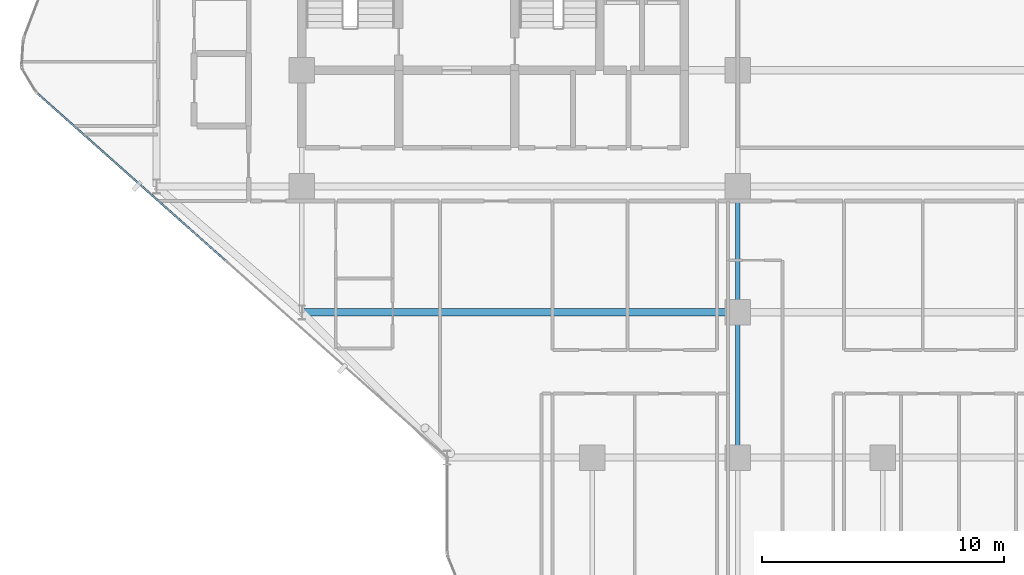
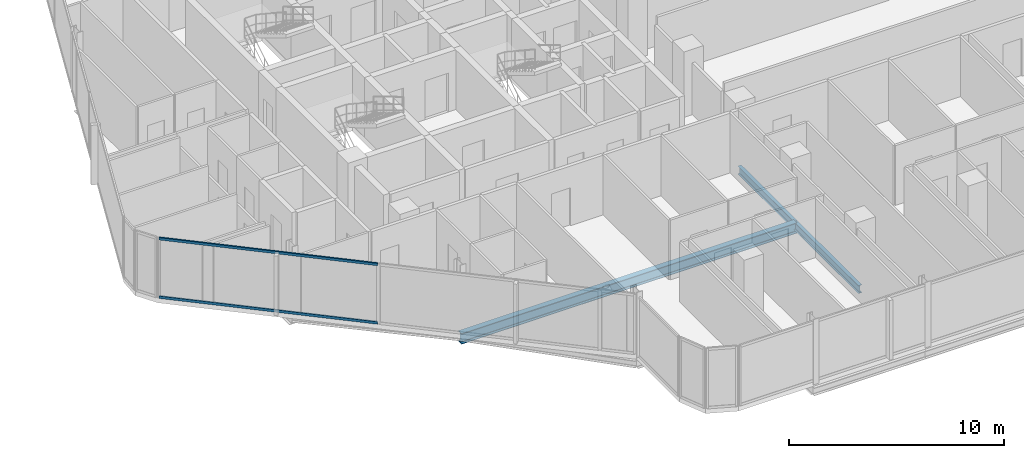
# One storey, part 5 of 29: 3 beams, 2 members, 1 element without a shape of its own.
"""IFC4 building model written with IfcOpenShell, lengths in metres."""

from ifc_helpers import new_model, si_unit, direction, frame, origin, origin_2d, place, context, subcontext, project, spatial, hollow_rectangle, i_section, extrude, material, layer, layer_set, material_profile, profile_set, type_object, element, aggregate, save


model = new_model("IFC4")

# Units and contexts
model_context = context("Model", 3, precision=1e-05, world=origin(), true_north=direction((0.0, 1.0)))
body_context = subcontext(model_context, "Body", "Model", "MODEL_VIEW")
ifc_project = project(units=[si_unit("LENGTHUNIT", "METRE"), si_unit("AREAUNIT", "SQUARE_METRE"), si_unit("VOLUMEUNIT", "CUBIC_METRE"), si_unit("PLANEANGLEUNIT", "RADIAN"), si_unit("MASSUNIT", "GRAM", prefix="KILO")], contexts=[model_context])

# Site, building, storey
site_placement = place(None, origin())
site = spatial("IfcSite", under=ifc_project, at=site_placement, CompositionType="ELEMENT")
building_placement = place(site_placement, origin())
building = spatial("IfcBuilding", under=site, at=building_placement, Name="Keshet Zoharim Tower", CompositionType="ELEMENT")
storey_placement = place(building_placement, frame((0.0, 0.0, 102.0)))
storey = spatial("IfcBuildingStorey", under=building, at=storey_placement, Name="L24", CompositionType="ELEMENT", Elevation=102.0)

# Beams
ifc_material_1 = material(Name="Steel S355", Category="steel")
ifc_material_profile_1 = material_profile(ifc_material_1, i_section(OverallWidth=0.300048828125, OverallDepth=0.60009765625, WebThickness=0.015380859375, FlangeThickness=0.030029296875, FilletRadius=0.027099609375, at=origin_2d()), Name="HEB600")
ifc_profile_set_1 = profile_set([ifc_material_profile_1], Name="Steel S355")
beam_type_1 = type_object("IfcBeamType", Name="BM-LNG-HB600", PredefinedType="BEAM", material=ifc_profile_set_1)
beam_1_placement = place(storey_placement, frame((15.0, 12.699951171875, -0.614990234375), z_axis=(1.0, 0.0, 0.0), x_axis=(0.0, 1.0, 0.0)))
element("IfcBeam", 1, at=beam_1_placement, inside=storey, type_object=beam_type_1, Name="L24 Primary Girder X-009", PredefinedType="BEAM", context=body_context, shape_type="SweptSolid", body=[
    extrude(i_section(OverallWidth=0.300048828125, OverallDepth=0.60009765625, WebThickness=0.015380859375, FlangeThickness=0.030029296875, FilletRadius=0.027099609375, at=origin_2d()), origin(), (0.0, 0.0, 1.0), 18.0),
])
ifc_material_profile_2 = material_profile(ifc_material_1, i_section(OverallWidth=0.18994140625, OverallDepth=0.449951171875, WebThickness=0.009521484375, FlangeThickness=0.0146484375, FilletRadius=0.02099609375, at=origin_2d()), Name="IPE450")
ifc_profile_set_2 = profile_set([ifc_material_profile_2], Name="Steel S355")
beam_type_2 = type_object("IfcBeamType", Name="BM-PRI-IP450", PredefinedType="BEAM", material=ifc_profile_set_2)
beam_2_placement = place(storey_placement, frame((33.0, 6.699951171875, -0.5400390625), z_axis=(0.0, 1.0, 0.0), x_axis=(-1.0, 0.0, 0.0)))
element("IfcBeam", 2, at=beam_2_placement, inside=storey, type_object=beam_type_2, Name="L24 Primary Girder Y-006", PredefinedType="BEAM", context=body_context, shape_type="SweptSolid", body=[
    extrude(i_section(OverallWidth=0.18994140625, OverallDepth=0.449951171875, WebThickness=0.009521484375, FlangeThickness=0.0146484375, FilletRadius=0.02099609375, at=origin_2d()), origin(), (0.0, 0.0, 1.0), 6.0),
])
beam_3_placement = place(storey_placement, frame((33.0, 12.699951171875, -0.5400390625), z_axis=(0.0, 1.0, 0.0), x_axis=(-1.0, 0.0, 0.0)))
element("IfcBeam", 3, at=beam_3_placement, inside=storey, type_object=beam_type_2, Name="L24 Primary Girder Y-007", PredefinedType="BEAM", context=body_context, shape_type="SweptSolid", body=[
    extrude(i_section(OverallWidth=0.18994140625, OverallDepth=0.449951171875, WebThickness=0.009521484375, FlangeThickness=0.0146484375, FilletRadius=0.02099609375, at=origin_2d()), origin(), (0.0, 0.0, 1.0), 5.199951171875),
])

# Curtain wall, members
ifc_material_2 = material(Name="Aluminium 6063-T6", Category="aluminium")
ifc_layer = layer(ifc_material_2, 0.159912109375)
ifc_layer_set = layer_set([ifc_layer], Name="Aluminium 6063-T6")
curtain_wall_type = type_object("IfcCurtainWallType", Name="CW-SYS-03", PredefinedType="NOTDEFINED", material=ifc_layer_set)
curtain_wall_placement = place(storey_placement, origin())
curtain_wall = element("IfcCurtainWall", 4, at=curtain_wall_placement, inside=storey, type_object=curtain_wall_type, Name="L24 Unitised Curtain Wall 07 Part 2", PredefinedType="NOTDEFINED")
ifc_material_profile_3 = material_profile(ifc_material_2, hollow_rectangle(XDim=0.080078125, YDim=0.139892578125, WallThickness=0.00390625, at=origin_2d()), Name="TRN-80x140")
ifc_profile_set_3 = profile_set([ifc_material_profile_3], Name="Aluminium 6063-T6")
member_type = type_object("IfcMemberType", Name="CWT-T14", PredefinedType="USERDEFINED", material=ifc_profile_set_3)
member_1_placement = place(storey_placement, frame((11.83349609375, 14.847900390625, 0.034912109375), z_axis=(-0.747405419639, 0.664368225229, 0.0), x_axis=(-0.664368225229, -0.747405419639, 0.0)))
member_1 = element("IfcMember", 5, at=member_1_placement, type_object=member_type, Name="CW-03 transom 2.1", ObjectType="TRANSOM", PredefinedType="USERDEFINED", context=body_context, shape_type="SweptSolid", body=[
    extrude(hollow_rectangle(XDim=0.080078125, YDim=0.139892578125, WallThickness=0.00390625, at=origin_2d()), origin(), (0.0, 0.0, 1.0), 10.364013671875),
])
member_2_placement = place(storey_placement, frame((11.83349609375, 14.847900390625, 3.35009765625), z_axis=(-0.747405419639, 0.664368225229, 0.0), x_axis=(-0.664368225229, -0.747405419639, 0.0)))
member_2 = element("IfcMember", 6, at=member_2_placement, type_object=member_type, Name="CW-03 transom 2.2", ObjectType="TRANSOM", PredefinedType="USERDEFINED", context=body_context, shape_type="SweptSolid", body=[
    extrude(hollow_rectangle(XDim=0.080078125, YDim=0.139892578125, WallThickness=0.00390625, at=origin_2d()), origin(), (0.0, 0.0, 1.0), 10.364013671875),
])
aggregate(curtain_wall, [member_1, member_2])

save(model, "model.ifc")
